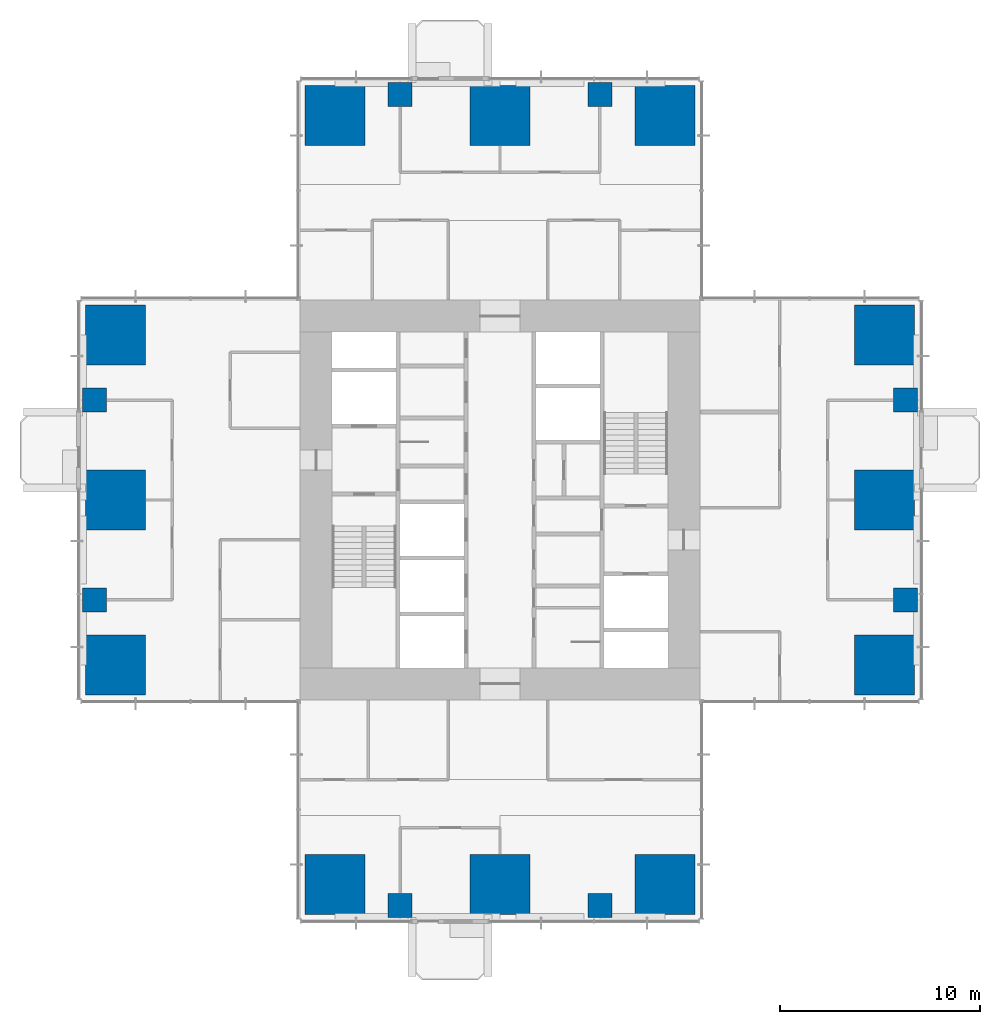
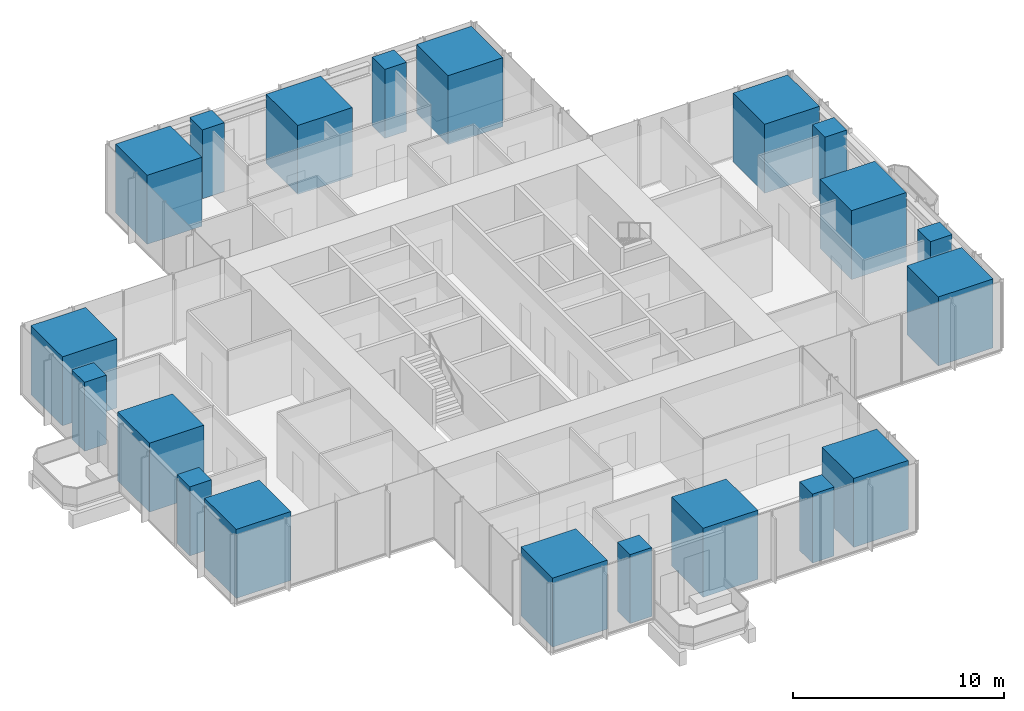
# One storey, part 1 of 14: 20 columns.
"""IFC4 building model written with IfcOpenShell, lengths in metres."""

import ifcopenshell
import ifcopenshell.guid

model = None  # the IFC model being written
_history = None  # IfcOwnerHistory: only IFC2X3 demands one
_inside = {}  # id of a spatial element -> (the spatial element, [elements in it])
_under = {}  # id of a project, library or spatial element -> (it, [spatial elements below it])
_declared = {}  # id of a project -> (the project, [libraries it declares])
_typed = {}  # id of a type object -> (the type object, [elements of that type])
_made_of = {}  # id of a material, layer set ... -> (it, [elements and type objects made of it])


def new_model(schema):
    """Start an empty IFC model of exactly this schema.

    Asked for "IFC4X3", IfcOpenShell would pick the latest addendum, in which some entities
    have other attributes; the version numbers below select the first issue.
    IFC2X3 requires an IfcOwnerHistory on every rooted entity: one is made here for all.
    """
    global model, _history
    if schema == "IFC4X3":
        model = ifcopenshell.file(schema_version=(4, 3, 0, 0))
    else:
        model = ifcopenshell.file(schema=schema)
    _inside.clear()
    _under.clear()
    _declared.clear()
    _typed.clear()
    _made_of.clear()
    _history = None
    if model.schema == "IFC2X3":
        org = make("IfcOrganization", Name="unknown")
        user = make(
            "IfcPersonAndOrganization",
            ThePerson=make("IfcPerson", FamilyName="unknown"),
            TheOrganization=org,
        )
        app = make(
            "IfcApplication",
            ApplicationDeveloper=org,
            Version="unknown",
            ApplicationFullName="unknown",
            ApplicationIdentifier="unknown",
        )
        _history = make(
            "IfcOwnerHistory",
            OwningUser=user,
            OwningApplication=app,
            ChangeAction="ADDED",
            CreationDate=0,
        )
    return model


def make(cls, **values):
    """One entity of the class cls with the attributes given. An attribute that is None is left unset."""
    return model.create_entity(
        cls, **{name: value for name, value in values.items() if value is not None}
    )


def rooted(cls, **values):
    """An entity with a GlobalId (a new one), such as an element, a storey or a relation."""
    return make(cls, GlobalId=ifcopenshell.guid.new(), OwnerHistory=_history, **values)


def si_unit(unit_type, name, prefix=None):
    """IfcSIUnit, for example si_unit("LENGTHUNIT", "METRE", prefix="MILLI")."""
    return make("IfcSIUnit", UnitType=unit_type, Prefix=prefix, Name=name)


def assignment(units):
    """IfcUnitAssignment: the units of a project."""
    return None if units is None else make("IfcUnitAssignment", Units=units)


def point(xyz):
    """IfcCartesianPoint."""
    return None if xyz is None else make("IfcCartesianPoint", Coordinates=xyz)


def direction(xyz):
    """IfcDirection."""
    return None if xyz is None else make("IfcDirection", DirectionRatios=xyz)


def frame(location, z_axis=None, x_axis=None):
    """IfcAxis2Placement3D, a coordinate frame: its origin and axes. An axis left out is left unset."""
    return make(
        "IfcAxis2Placement3D",
        Location=point(location),
        Axis=direction(z_axis),
        RefDirection=direction(x_axis),
    )


def frame_2d(location, x_axis=None):
    """IfcAxis2Placement2D, a coordinate frame in the plane: its origin and x axis."""
    return make(
        "IfcAxis2Placement2D", Location=point(location), RefDirection=direction(x_axis)
    )


def origin():
    """The frame at (0, 0, 0) with its axes left unset."""
    return frame((0.0, 0.0, 0.0))


def origin_2d():
    """The frame at (0, 0) in the plane with its x axis left unset."""
    return frame_2d((0.0, 0.0))


def place(relative_to, where):
    """IfcLocalPlacement: puts the frame where relative to a parent placement (None: the world)."""
    return make(
        "IfcLocalPlacement", PlacementRelTo=relative_to, RelativePlacement=where
    )


def context(
    kind, dimensions, precision=None, world=None, true_north=None, identifier=None
):
    """IfcGeometricRepresentationContext, for example the 3D "Model" context."""
    return make(
        "IfcGeometricRepresentationContext",
        ContextIdentifier=identifier,
        ContextType=kind,
        CoordinateSpaceDimension=dimensions,
        Precision=precision,
        WorldCoordinateSystem=world,
        TrueNorth=true_north,
    )


def subcontext(parent, identifier, kind, view, scale=None):
    """IfcGeometricRepresentationSubContext, for example "Body" below "Model"."""
    return make(
        "IfcGeometricRepresentationSubContext",
        ContextIdentifier=identifier,
        ContextType=kind,
        ParentContext=parent,
        TargetScale=scale,
        TargetView=view,
    )


def project(units=None, contexts=None):
    """IfcProject with its units and contexts."""
    return rooted(
        "IfcProject",
        Name="project",
        RepresentationContexts=contexts,
        UnitsInContext=assignment(units),
    )


def spatial(cls, under=None, at=None, **own):
    """A site, building, storey or space (cls), placed at a placement, below another one or the project."""
    s = rooted(cls, ObjectPlacement=at, **own)
    if under is not None:
        _under.setdefault(under.id(), (under, []))[1].append(s)
    return s


def profile(cls, at=None, kind="AREA", **sizes):
    """A parametric profile (cls). Its sizes go by their IFC names, for example OverallWidth=200.0."""
    return make(cls, ProfileType=kind, Position=at, **sizes)


def rectangle(**sizes):
    """IfcRectangleProfileDef."""
    return profile("IfcRectangleProfileDef", **sizes)


def extrude(swept, where, along, depth):
    """IfcExtrudedAreaSolid: the profile swept, set in the frame where, extruded along a direction by depth."""
    return make(
        "IfcExtrudedAreaSolid",
        SweptArea=swept,
        Position=where,
        ExtrudedDirection=direction(along),
        Depth=depth,
    )


def shape(context_of_items, identifier, shape_type, items):
    """IfcShapeRepresentation: the items that make up one representation, for example the "Body"."""
    return make(
        "IfcShapeRepresentation",
        ContextOfItems=context_of_items,
        RepresentationIdentifier=identifier,
        RepresentationType=shape_type,
        Items=items,
    )


def material(Name=None, Category=None):
    """IfcMaterial."""
    return make("IfcMaterial", Name=Name, Category=Category)


def material_profile(
    of_material, cross_section, Name=None, Category=None, Priority=None
):
    """IfcMaterialProfile: a cross section and its material."""
    return make(
        "IfcMaterialProfile",
        Name=Name,
        Material=of_material,
        Profile=cross_section,
        Priority=Priority,
        Category=Category,
    )


def profile_set(profiles, Name=None, composite=None):
    """IfcMaterialProfileSet."""
    return make(
        "IfcMaterialProfileSet",
        Name=Name,
        MaterialProfiles=profiles,
        CompositeProfile=composite,
    )


def made_of(thing, what):
    """Note that an element or type object is made of a material, layer set ...; save() writes the relation."""
    if what is not None:
        _made_of.setdefault(what.id(), (what, []))[1].append(thing)
    return thing


def type_object(cls, material=None, **own):
    """A type object (cls), such as IfcWallType, which elements share."""
    return made_of(rooted(cls, **own), material)


def element(
    cls,
    number,
    at=None,
    inside=None,
    cuts=None,
    type_object=None,
    material=None,
    context=None,
    identifier="Body",
    shape_type=None,
    held_by="IfcProductDefinitionShape",
    body=None,
    shapes=None,
    **own,
):
    """One element of the class cls, such as IfcWall. Its Tag is "e" and its number.

    at: its placement. inside: the storey or other place that contains it. cuts: it is an
    opening in that element (IfcRelVoidsElement). A single representation is given by context,
    identifier, shape_type and body (its items); several are given by shapes. held_by: the class
    of the entity that holds the representations. save() writes the other relations.
    """
    e = rooted(cls, Tag="e%d" % number, ObjectPlacement=at, **own)
    if body is not None:
        shapes = [shape(context, identifier, shape_type, body)]
    if shapes is not None:
        e.Representation = make(held_by, Representations=shapes)
    if inside is not None:
        _inside.setdefault(inside.id(), (inside, []))[1].append(e)
    if cuts is not None:
        rooted(
            "IfcRelVoidsElement", RelatingBuildingElement=cuts, RelatedOpeningElement=e
        )
    if type_object is not None:
        _typed.setdefault(type_object.id(), (type_object, []))[1].append(e)
    return made_of(e, material)


def aggregate(whole, parts):
    """IfcRelAggregates: a whole, such as a stair, and the parts it consists of."""
    return rooted("IfcRelAggregates", RelatingObject=whole, RelatedObjects=parts)


def save(model, path):
    """Write the relations noted so far, then the file.

    IfcRelAggregates (storeys below a building ...), IfcRelContainedInSpatialStructure (elements
    in a storey), IfcRelDefinesByType, IfcRelAssociatesMaterial and IfcRelDeclares: one each for
    every whole, place, type object, material and project.
    """
    for whole, parts in _under.values():
        aggregate(whole, parts)
    for where, things in _inside.values():
        rooted(
            "IfcRelContainedInSpatialStructure",
            RelatedElements=things,
            RelatingStructure=where,
        )
    for kind, things in _typed.values():
        rooted("IfcRelDefinesByType", RelatedObjects=things, RelatingType=kind)
    for what, things in _made_of.values():
        rooted("IfcRelAssociatesMaterial", RelatedObjects=things, RelatingMaterial=what)
    for by, libraries in _declared.values():
        rooted("IfcRelDeclares", RelatingContext=by, RelatedDefinitions=libraries)
    model.write(path)


model = new_model("IFC4")

# Units and contexts
model_context = context("Model", 3, precision=1e-05, world=origin(), true_north=direction((0.0, 1.0)))
body_context = subcontext(model_context, "Body", "Model", "MODEL_VIEW")
ifc_project = project(units=[si_unit("LENGTHUNIT", "METRE"), si_unit("AREAUNIT", "SQUARE_METRE"), si_unit("VOLUMEUNIT", "CUBIC_METRE"), si_unit("PLANEANGLEUNIT", "RADIAN"), si_unit("MASSUNIT", "GRAM", prefix="KILO")], contexts=[model_context])

# Site, building, storey
site_placement = place(None, origin())
site = spatial("IfcSite", under=ifc_project, at=site_placement, CompositionType="ELEMENT")
building_placement = place(site_placement, origin())
building = spatial("IfcBuilding", under=site, at=building_placement, Name="Svetlomir Tower", CompositionType="ELEMENT")
storey_placement = place(building_placement, frame((0.0, 0.0, 108.5)))
storey = spatial("IfcBuildingStorey", under=building, at=storey_placement, Name="L25", CompositionType="ELEMENT", Elevation=108.5)

# Columns
ifc_material_1 = material(Name="Concrete C60/75", Category="concrete")
ifc_material_profile_1 = material_profile(ifc_material_1, rectangle(XDim=1.199951171875, YDim=1.199951171875, at=origin_2d()), Name="RC 1200x1200")
ifc_profile_set_1 = profile_set([ifc_material_profile_1], Name="Concrete C60/75")
column_type_1 = type_object("IfcColumnType", Name="COLUMN RC 1200x1200", PredefinedType="COLUMN", material=ifc_profile_set_1)
for number, where, z_axis, x_axis, name in (
    (1, (16.0, 0.699951171875, 0.0), (0.0, 0.0, 1.0), (1.0, 0.0, 0.0), "Column 16/0 L25"),
    (2, (26.0, 0.699951171875, 0.0), (0.0, 0.0, 1.0), (1.0, 0.0, 0.0), "Column 26/0 L25"),
    (3, (0.699951171875, 16.0, 0.0), (0.0, 0.0, 1.0), (1.0, 0.0, 0.0), "Column 0/16 L25"),
    (4, (41.300048828125, 16.0, 0.0), (0.0, 0.0, 1.0), (1.0, 0.0, 0.0), "Column 42/16 L25"),
    (5, (0.699951171875, 26.0, 0.0), (0.0, 0.0, 1.0), (1.0, 0.0, 0.0), "Column 0/26 L25"),
    (6, (41.300048828125, 26.0, 0.0), (0.0, 0.0, 1.0), (1.0, 0.0, 0.0), "Column 42/26 L25"),
    (7, (16.0, 41.300048828125, 0.0), (0.0, 0.0, 1.0), (1.0, 0.0, 0.0), "Column 16/42 L25"),
    (8, (26.0, 41.300048828125, 0.0), (0.0, 0.0, 1.0), (1.0, 0.0, 0.0), "Column 26/42 L25"),
):
    element("IfcColumn", number, at=place(storey_placement, frame(where, z_axis=z_axis, x_axis=x_axis)), inside=storey, type_object=column_type_1, Name=name, PredefinedType="COLUMN", context=body_context, shape_type="SweptSolid", body=[
        extrude(rectangle(XDim=1.199951171875, YDim=1.199951171875, at=origin_2d()), origin(), (0.0, 0.0, 1.0), 4.0),
    ])
ifc_material_2 = material(Name="Concrete C60/75", Category="concrete")
ifc_material_profile_2 = material_profile(ifc_material_2, rectangle(XDim=3.0, YDim=3.0, at=origin_2d()), Name="RC 3000x3000")
ifc_profile_set_2 = profile_set([ifc_material_profile_2], Name="Concrete C60/75")
column_type_2 = type_object("IfcColumnType", Name="COLUMN RC 3000x3000", PredefinedType="COLUMN", material=ifc_profile_set_2)
for number, where, z_axis, x_axis, name in (
    (9, (12.75, 1.75, 0.0), (0.0, 0.0, 1.0), (1.0, 0.0, 0.0), "Column 11/0 L25"),
    (10, (21.0, 1.75, 0.0), (0.0, 0.0, 1.0), (1.0, 0.0, 0.0), "Column 21/0 L25"),
    (11, (29.25, 1.75, 0.0), (0.0, 0.0, 1.0), (1.0, 0.0, 0.0), "Column 31/0 L25"),
    (12, (1.75, 12.75, 0.0), (0.0, 0.0, 1.0), (1.0, 0.0, 0.0), "Column 0/11 L25"),
    (13, (40.25, 12.75, 0.0), (0.0, 0.0, 1.0), (1.0, 0.0, 0.0), "Column 42/11 L25"),
    (14, (1.75, 21.0, 0.0), (0.0, 0.0, 1.0), (1.0, 0.0, 0.0), "Column 0/21 L25"),
    (15, (40.25, 21.0, 0.0), (0.0, 0.0, 1.0), (1.0, 0.0, 0.0), "Column 42/21 L25"),
    (16, (1.75, 29.25, 0.0), (0.0, 0.0, 1.0), (1.0, 0.0, 0.0), "Column 0/31 L25"),
    (17, (40.25, 29.25, 0.0), (0.0, 0.0, 1.0), (1.0, 0.0, 0.0), "Column 42/31 L25"),
    (18, (12.75, 40.25, 0.0), (0.0, 0.0, 1.0), (1.0, 0.0, 0.0), "Column 11/42 L25"),
    (19, (21.0, 40.25, 0.0), (0.0, 0.0, 1.0), (1.0, 0.0, 0.0), "Column 21/42 L25"),
    (20, (29.25, 40.25, 0.0), (0.0, 0.0, 1.0), (1.0, 0.0, 0.0), "Column 31/42 L25"),
):
    element("IfcColumn", number, at=place(storey_placement, frame(where, z_axis=z_axis, x_axis=x_axis)), inside=storey, type_object=column_type_2, Name=name, PredefinedType="COLUMN", context=body_context, shape_type="SweptSolid", body=[
        extrude(rectangle(XDim=3.0, YDim=3.0, at=origin_2d()), origin(), (0.0, 0.0, 1.0), 4.0),
    ])

save(model, "model.ifc")
